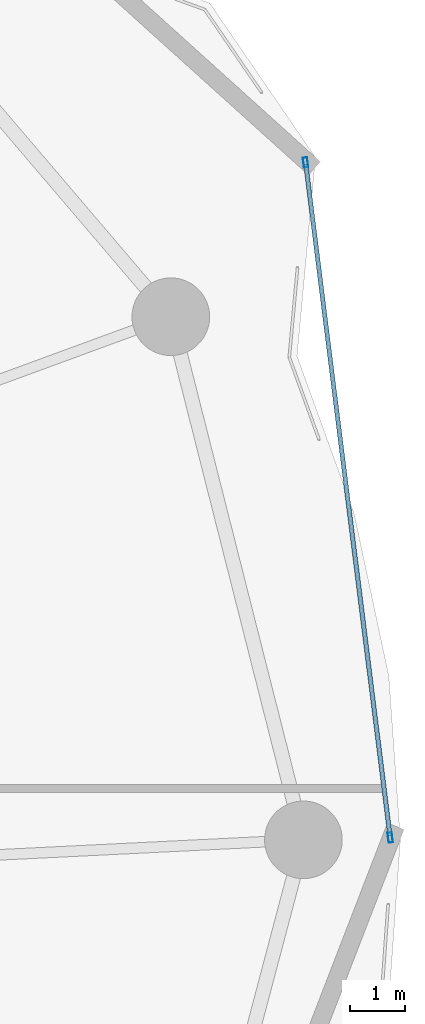
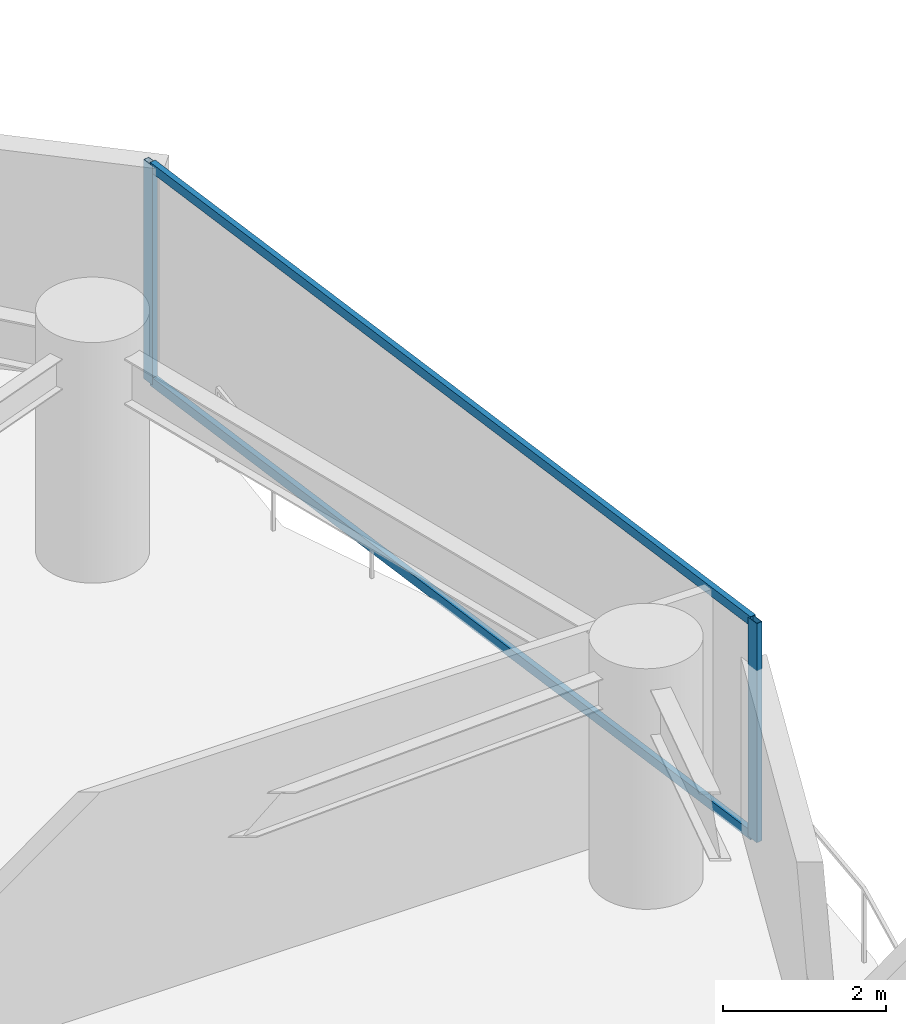
# One storey, part 23 of 30: 4 members, 1 element without a shape of its own.
"""IFC4 building model written with IfcOpenShell, lengths in metres."""

import ifcopenshell
import ifcopenshell.guid

model = None  # the IFC model being written
_history = None  # IfcOwnerHistory: only IFC2X3 demands one
_inside = {}  # id of a spatial element -> (the spatial element, [elements in it])
_under = {}  # id of a project, library or spatial element -> (it, [spatial elements below it])
_declared = {}  # id of a project -> (the project, [libraries it declares])
_typed = {}  # id of a type object -> (the type object, [elements of that type])
_made_of = {}  # id of a material, layer set ... -> (it, [elements and type objects made of it])


def new_model(schema):
    """Start an empty IFC model of exactly this schema.

    Asked for "IFC4X3", IfcOpenShell would pick the latest addendum, in which some entities
    have other attributes; the version numbers below select the first issue.
    IFC2X3 requires an IfcOwnerHistory on every rooted entity: one is made here for all.
    """
    global model, _history
    if schema == "IFC4X3":
        model = ifcopenshell.file(schema_version=(4, 3, 0, 0))
    else:
        model = ifcopenshell.file(schema=schema)
    _inside.clear()
    _under.clear()
    _declared.clear()
    _typed.clear()
    _made_of.clear()
    _history = None
    if model.schema == "IFC2X3":
        org = make("IfcOrganization", Name="unknown")
        user = make(
            "IfcPersonAndOrganization",
            ThePerson=make("IfcPerson", FamilyName="unknown"),
            TheOrganization=org,
        )
        app = make(
            "IfcApplication",
            ApplicationDeveloper=org,
            Version="unknown",
            ApplicationFullName="unknown",
            ApplicationIdentifier="unknown",
        )
        _history = make(
            "IfcOwnerHistory",
            OwningUser=user,
            OwningApplication=app,
            ChangeAction="ADDED",
            CreationDate=0,
        )
    return model


def make(cls, **values):
    """One entity of the class cls with the attributes given. An attribute that is None is left unset."""
    return model.create_entity(
        cls, **{name: value for name, value in values.items() if value is not None}
    )


def rooted(cls, **values):
    """An entity with a GlobalId (a new one), such as an element, a storey or a relation."""
    return make(cls, GlobalId=ifcopenshell.guid.new(), OwnerHistory=_history, **values)


def si_unit(unit_type, name, prefix=None):
    """IfcSIUnit, for example si_unit("LENGTHUNIT", "METRE", prefix="MILLI")."""
    return make("IfcSIUnit", UnitType=unit_type, Prefix=prefix, Name=name)


def assignment(units):
    """IfcUnitAssignment: the units of a project."""
    return None if units is None else make("IfcUnitAssignment", Units=units)


def point(xyz):
    """IfcCartesianPoint."""
    return None if xyz is None else make("IfcCartesianPoint", Coordinates=xyz)


def direction(xyz):
    """IfcDirection."""
    return None if xyz is None else make("IfcDirection", DirectionRatios=xyz)


def frame(location, z_axis=None, x_axis=None):
    """IfcAxis2Placement3D, a coordinate frame: its origin and axes. An axis left out is left unset."""
    return make(
        "IfcAxis2Placement3D",
        Location=point(location),
        Axis=direction(z_axis),
        RefDirection=direction(x_axis),
    )


def frame_2d(location, x_axis=None):
    """IfcAxis2Placement2D, a coordinate frame in the plane: its origin and x axis."""
    return make(
        "IfcAxis2Placement2D", Location=point(location), RefDirection=direction(x_axis)
    )


def origin():
    """The frame at (0, 0, 0) with its axes left unset."""
    return frame((0.0, 0.0, 0.0))


def origin_2d():
    """The frame at (0, 0) in the plane with its x axis left unset."""
    return frame_2d((0.0, 0.0))


def place(relative_to, where):
    """IfcLocalPlacement: puts the frame where relative to a parent placement (None: the world)."""
    return make(
        "IfcLocalPlacement", PlacementRelTo=relative_to, RelativePlacement=where
    )


def context(
    kind, dimensions, precision=None, world=None, true_north=None, identifier=None
):
    """IfcGeometricRepresentationContext, for example the 3D "Model" context."""
    return make(
        "IfcGeometricRepresentationContext",
        ContextIdentifier=identifier,
        ContextType=kind,
        CoordinateSpaceDimension=dimensions,
        Precision=precision,
        WorldCoordinateSystem=world,
        TrueNorth=true_north,
    )


def subcontext(parent, identifier, kind, view, scale=None):
    """IfcGeometricRepresentationSubContext, for example "Body" below "Model"."""
    return make(
        "IfcGeometricRepresentationSubContext",
        ContextIdentifier=identifier,
        ContextType=kind,
        ParentContext=parent,
        TargetScale=scale,
        TargetView=view,
    )


def project(units=None, contexts=None):
    """IfcProject with its units and contexts."""
    return rooted(
        "IfcProject",
        Name="project",
        RepresentationContexts=contexts,
        UnitsInContext=assignment(units),
    )


def spatial(cls, under=None, at=None, **own):
    """A site, building, storey or space (cls), placed at a placement, below another one or the project."""
    s = rooted(cls, ObjectPlacement=at, **own)
    if under is not None:
        _under.setdefault(under.id(), (under, []))[1].append(s)
    return s


def profile(cls, at=None, kind="AREA", **sizes):
    """A parametric profile (cls). Its sizes go by their IFC names, for example OverallWidth=200.0."""
    return make(cls, ProfileType=kind, Position=at, **sizes)


def hollow_rectangle(**sizes):
    """IfcRectangleHollowProfileDef."""
    return profile("IfcRectangleHollowProfileDef", **sizes)


def extrude(swept, where, along, depth):
    """IfcExtrudedAreaSolid: the profile swept, set in the frame where, extruded along a direction by depth."""
    return make(
        "IfcExtrudedAreaSolid",
        SweptArea=swept,
        Position=where,
        ExtrudedDirection=direction(along),
        Depth=depth,
    )


def shape(context_of_items, identifier, shape_type, items):
    """IfcShapeRepresentation: the items that make up one representation, for example the "Body"."""
    return make(
        "IfcShapeRepresentation",
        ContextOfItems=context_of_items,
        RepresentationIdentifier=identifier,
        RepresentationType=shape_type,
        Items=items,
    )


def material(Name=None, Category=None):
    """IfcMaterial."""
    return make("IfcMaterial", Name=Name, Category=Category)


def layer(
    of_material, thickness, ventilated=None, Name=None, Category=None, Priority=None
):
    """IfcMaterialLayer: one layer of a wall or slab, of a material (None: an air gap)."""
    return make(
        "IfcMaterialLayer",
        Material=of_material,
        LayerThickness=thickness,
        IsVentilated=ventilated,
        Name=Name,
        Category=Category,
        Priority=Priority,
    )


def layer_set(layers, Name=None):
    """IfcMaterialLayerSet."""
    return make("IfcMaterialLayerSet", MaterialLayers=layers, LayerSetName=Name)


def material_profile(
    of_material, cross_section, Name=None, Category=None, Priority=None
):
    """IfcMaterialProfile: a cross section and its material."""
    return make(
        "IfcMaterialProfile",
        Name=Name,
        Material=of_material,
        Profile=cross_section,
        Priority=Priority,
        Category=Category,
    )


def profile_set(profiles, Name=None, composite=None):
    """IfcMaterialProfileSet."""
    return make(
        "IfcMaterialProfileSet",
        Name=Name,
        MaterialProfiles=profiles,
        CompositeProfile=composite,
    )


def made_of(thing, what):
    """Note that an element or type object is made of a material, layer set ...; save() writes the relation."""
    if what is not None:
        _made_of.setdefault(what.id(), (what, []))[1].append(thing)
    return thing


def type_object(cls, material=None, **own):
    """A type object (cls), such as IfcWallType, which elements share."""
    return made_of(rooted(cls, **own), material)


def element(
    cls,
    number,
    at=None,
    inside=None,
    cuts=None,
    type_object=None,
    material=None,
    context=None,
    identifier="Body",
    shape_type=None,
    held_by="IfcProductDefinitionShape",
    body=None,
    shapes=None,
    **own,
):
    """One element of the class cls, such as IfcWall. Its Tag is "e" and its number.

    at: its placement. inside: the storey or other place that contains it. cuts: it is an
    opening in that element (IfcRelVoidsElement). A single representation is given by context,
    identifier, shape_type and body (its items); several are given by shapes. held_by: the class
    of the entity that holds the representations. save() writes the other relations.
    """
    e = rooted(cls, Tag="e%d" % number, ObjectPlacement=at, **own)
    if body is not None:
        shapes = [shape(context, identifier, shape_type, body)]
    if shapes is not None:
        e.Representation = make(held_by, Representations=shapes)
    if inside is not None:
        _inside.setdefault(inside.id(), (inside, []))[1].append(e)
    if cuts is not None:
        rooted(
            "IfcRelVoidsElement", RelatingBuildingElement=cuts, RelatedOpeningElement=e
        )
    if type_object is not None:
        _typed.setdefault(type_object.id(), (type_object, []))[1].append(e)
    return made_of(e, material)


def aggregate(whole, parts):
    """IfcRelAggregates: a whole, such as a stair, and the parts it consists of."""
    return rooted("IfcRelAggregates", RelatingObject=whole, RelatedObjects=parts)


def save(model, path):
    """Write the relations noted so far, then the file.

    IfcRelAggregates (storeys below a building ...), IfcRelContainedInSpatialStructure (elements
    in a storey), IfcRelDefinesByType, IfcRelAssociatesMaterial and IfcRelDeclares: one each for
    every whole, place, type object, material and project.
    """
    for whole, parts in _under.values():
        aggregate(whole, parts)
    for where, things in _inside.values():
        rooted(
            "IfcRelContainedInSpatialStructure",
            RelatedElements=things,
            RelatingStructure=where,
        )
    for kind, things in _typed.values():
        rooted("IfcRelDefinesByType", RelatedObjects=things, RelatingType=kind)
    for what, things in _made_of.values():
        rooted("IfcRelAssociatesMaterial", RelatedObjects=things, RelatingMaterial=what)
    for by, libraries in _declared.values():
        rooted("IfcRelDeclares", RelatingContext=by, RelatedDefinitions=libraries)
    model.write(path)


model = new_model("IFC4")

# Units and contexts
model_context = context("Model", 3, precision=1e-05, world=origin(), true_north=direction((0.0, 1.0)))
body_context = subcontext(model_context, "Body", "Model", "MODEL_VIEW")
ifc_project = project(units=[si_unit("LENGTHUNIT", "METRE"), si_unit("AREAUNIT", "SQUARE_METRE"), si_unit("VOLUMEUNIT", "CUBIC_METRE"), si_unit("PLANEANGLEUNIT", "RADIAN"), si_unit("MASSUNIT", "GRAM", prefix="KILO")], contexts=[model_context])

# Site, building, storey
site_placement = place(None, origin())
site = spatial("IfcSite", under=ifc_project, at=site_placement, CompositionType="ELEMENT")
building_placement = place(site_placement, origin())
building = spatial("IfcBuilding", under=site, at=building_placement, Name="Kazevale Care Tower and Concert Hall", CompositionType="ELEMENT")
storey_placement = place(building_placement, frame((0.0, 0.0, 88.800048828125)))
storey = spatial("IfcBuildingStorey", under=building, at=storey_placement, Name="L23", CompositionType="ELEMENT", Elevation=88.800048828125)

# Curtain wall, members
ifc_material_1 = material(Name="Aluminium 6063-T6 and Low-E Glass", Category="aluminium")
ifc_layer = layer(ifc_material_1, 0.179931640625)
ifc_layer_set = layer_set([ifc_layer], Name="Aluminium 6063-T6 and Low-E Glass")
curtain_wall_type = type_object("IfcCurtainWallType", Name="Waist & Upper Residential Curtain Wall CW-4", PredefinedType="NOTDEFINED", material=ifc_layer_set)
curtain_wall_placement = place(storey_placement, origin())
curtain_wall = element("IfcCurtainWall", 1, at=curtain_wall_placement, inside=storey, type_object=curtain_wall_type, Name="cw:L23:f18", PredefinedType="NOTDEFINED")
ifc_material_2 = material(Name="Aluminium 6063-T6", Category="aluminium")
ifc_material_profile_1 = material_profile(ifc_material_2, hollow_rectangle(XDim=0.080078125, YDim=0.179931640625, WallThickness=0.0048828125, at=origin_2d()), Name="ALU80x180x5")
ifc_profile_set_1 = profile_set([ifc_material_profile_1], Name="Aluminium 6063-T6")
member_type_1 = type_object("IfcMemberType", Name="CW-4 Mullion ALU80x180x5", PredefinedType="MULLION", material=ifc_profile_set_1)
member_1_placement = place(storey_placement, frame((76.489013671875, 50.21240234375, 0.0), z_axis=(0.0, 0.0, 1.0), x_axis=(0.992232958389, 0.124393554037, 0.0)))
member_1 = element("IfcMember", 2, at=member_1_placement, type_object=member_type_1, Name="CW-4 mullion 1", PredefinedType="MULLION", context=body_context, shape_type="SweptSolid", body=[
    extrude(hollow_rectangle(XDim=0.080078125, YDim=0.179931640625, WallThickness=0.0048828125, at=origin_2d()), origin(), (0.0, 0.0, 1.0), 3.280029296875),
])
member_2_placement = place(storey_placement, frame((78.01513671875, 38.039794921875, 0.0), z_axis=(0.0, 0.0, 1.0), x_axis=(0.992232958389, 0.124393554037, 0.0)))
member_2 = element("IfcMember", 3, at=member_2_placement, type_object=member_type_1, Name="CW-4 mullion 2", PredefinedType="MULLION", context=body_context, shape_type="SweptSolid", body=[
    extrude(hollow_rectangle(XDim=0.080078125, YDim=0.179931640625, WallThickness=0.0048828125, at=origin_2d()), origin(), (0.0, 0.0, 1.0), 3.280029296875),
])
ifc_material_profile_2 = material_profile(ifc_material_2, hollow_rectangle(XDim=0.080078125, YDim=0.139892578125, WallThickness=0.00390625, at=origin_2d()), Name="ALU80x140x4")
ifc_profile_set_2 = profile_set([ifc_material_profile_2], Name="Aluminium 6063-T6")
member_type_2 = type_object("IfcMemberType", Name="CW-4 Transom ALU80x140x4", PredefinedType="USERDEFINED", material=ifc_profile_set_2)
member_3_placement = place(storey_placement, frame((76.493896484375, 50.172607421875, 0.0400390625), z_axis=(0.124394674353, -0.992232817938, 0.0), x_axis=(0.992232817938, 0.124394674353, 0.0)))
member_3 = element("IfcMember", 4, at=member_3_placement, type_object=member_type_2, Name="CW-4 transom 1.1", ObjectType="TRANSOM", PredefinedType="USERDEFINED", context=body_context, shape_type="SweptSolid", body=[
    extrude(hollow_rectangle(XDim=0.080078125, YDim=0.139892578125, WallThickness=0.00390625, at=origin_2d()), origin(), (0.0, 0.0, 1.0), 12.18798828125),
])
member_4_placement = place(storey_placement, frame((76.493896484375, 50.172607421875, 3.239990234375), z_axis=(0.124394674353, -0.992232817938, 0.0), x_axis=(0.992232817938, 0.124394674353, 0.0)))
member_4 = element("IfcMember", 5, at=member_4_placement, type_object=member_type_2, Name="CW-4 transom 1.2", ObjectType="TRANSOM", PredefinedType="USERDEFINED", context=body_context, shape_type="SweptSolid", body=[
    extrude(hollow_rectangle(XDim=0.080078125, YDim=0.139892578125, WallThickness=0.00390625, at=origin_2d()), origin(), (0.0, 0.0, 1.0), 12.18798828125),
])
aggregate(curtain_wall, [member_1, member_2, member_3, member_4])

save(model, "model.ifc")
